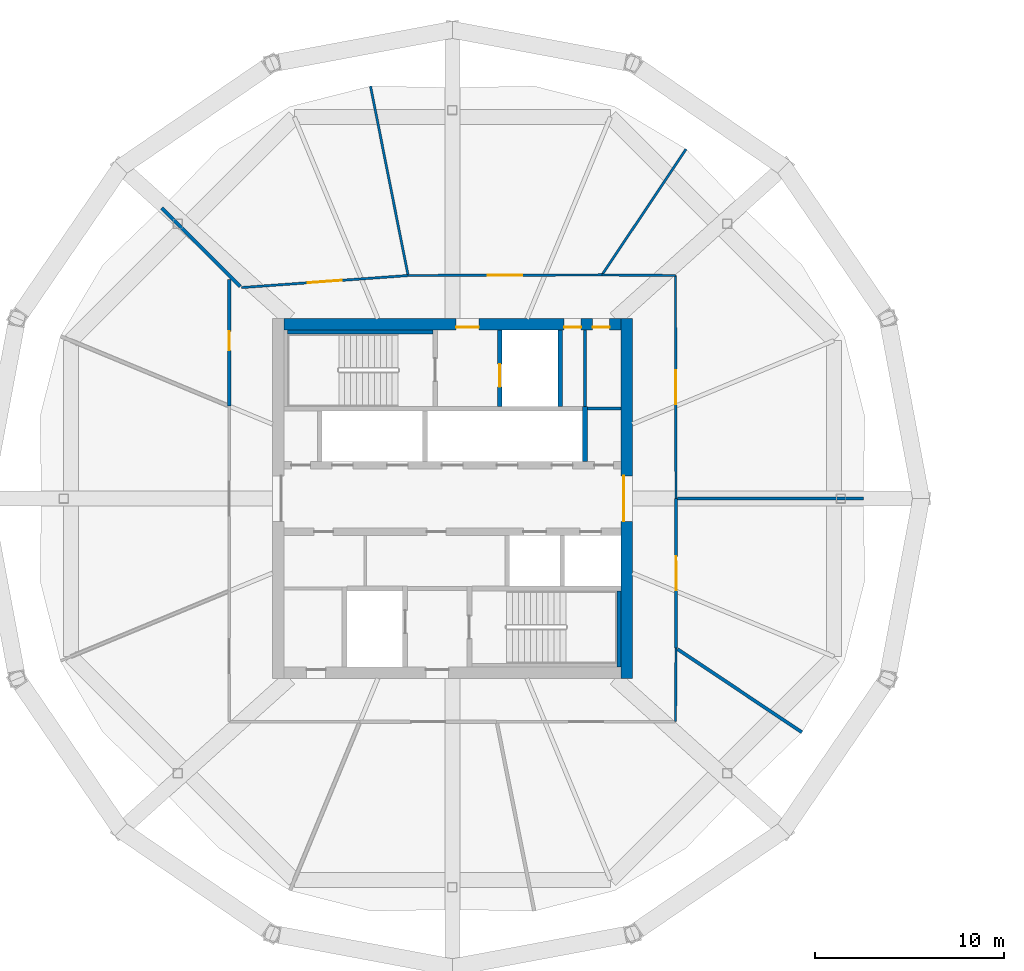
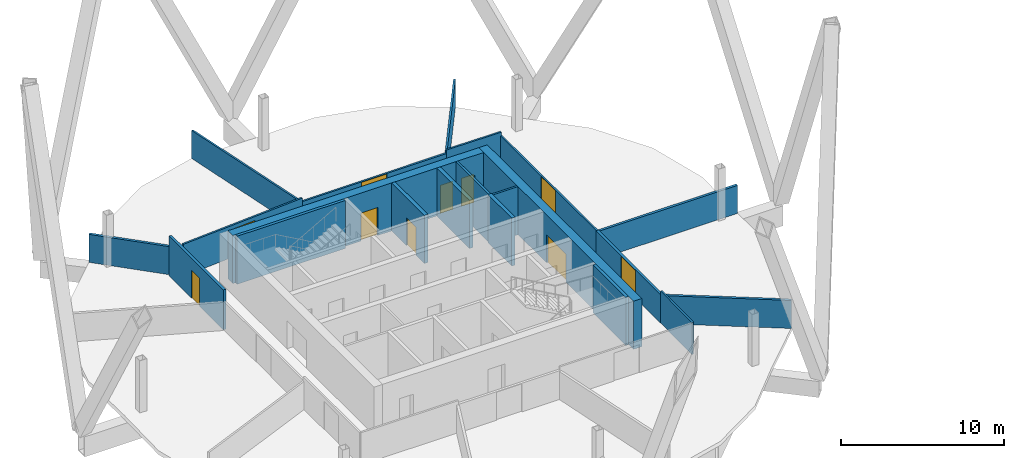
# One storey, part 6 of 10: 21 walls, 10 doors, 10 openings.
"""IFC4 building model written with IfcOpenShell, lengths in metres."""

import ifcopenshell
import ifcopenshell.guid

model = None  # the IFC model being written
_history = None  # IfcOwnerHistory: only IFC2X3 demands one
_inside = {}  # id of a spatial element -> (the spatial element, [elements in it])
_under = {}  # id of a project, library or spatial element -> (it, [spatial elements below it])
_declared = {}  # id of a project -> (the project, [libraries it declares])
_typed = {}  # id of a type object -> (the type object, [elements of that type])
_made_of = {}  # id of a material, layer set ... -> (it, [elements and type objects made of it])


def new_model(schema):
    """Start an empty IFC model of exactly this schema.

    Asked for "IFC4X3", IfcOpenShell would pick the latest addendum, in which some entities
    have other attributes; the version numbers below select the first issue.
    IFC2X3 requires an IfcOwnerHistory on every rooted entity: one is made here for all.
    """
    global model, _history
    if schema == "IFC4X3":
        model = ifcopenshell.file(schema_version=(4, 3, 0, 0))
    else:
        model = ifcopenshell.file(schema=schema)
    _inside.clear()
    _under.clear()
    _declared.clear()
    _typed.clear()
    _made_of.clear()
    _history = None
    if model.schema == "IFC2X3":
        org = make("IfcOrganization", Name="unknown")
        user = make(
            "IfcPersonAndOrganization",
            ThePerson=make("IfcPerson", FamilyName="unknown"),
            TheOrganization=org,
        )
        app = make(
            "IfcApplication",
            ApplicationDeveloper=org,
            Version="unknown",
            ApplicationFullName="unknown",
            ApplicationIdentifier="unknown",
        )
        _history = make(
            "IfcOwnerHistory",
            OwningUser=user,
            OwningApplication=app,
            ChangeAction="ADDED",
            CreationDate=0,
        )
    return model


def make(cls, **values):
    """One entity of the class cls with the attributes given. An attribute that is None is left unset."""
    return model.create_entity(
        cls, **{name: value for name, value in values.items() if value is not None}
    )


def rooted(cls, **values):
    """An entity with a GlobalId (a new one), such as an element, a storey or a relation."""
    return make(cls, GlobalId=ifcopenshell.guid.new(), OwnerHistory=_history, **values)


def si_unit(unit_type, name, prefix=None):
    """IfcSIUnit, for example si_unit("LENGTHUNIT", "METRE", prefix="MILLI")."""
    return make("IfcSIUnit", UnitType=unit_type, Prefix=prefix, Name=name)


def assignment(units):
    """IfcUnitAssignment: the units of a project."""
    return None if units is None else make("IfcUnitAssignment", Units=units)


def point(xyz):
    """IfcCartesianPoint."""
    return None if xyz is None else make("IfcCartesianPoint", Coordinates=xyz)


def direction(xyz):
    """IfcDirection."""
    return None if xyz is None else make("IfcDirection", DirectionRatios=xyz)


def frame(location, z_axis=None, x_axis=None):
    """IfcAxis2Placement3D, a coordinate frame: its origin and axes. An axis left out is left unset."""
    return make(
        "IfcAxis2Placement3D",
        Location=point(location),
        Axis=direction(z_axis),
        RefDirection=direction(x_axis),
    )


def frame_2d(location, x_axis=None):
    """IfcAxis2Placement2D, a coordinate frame in the plane: its origin and x axis."""
    return make(
        "IfcAxis2Placement2D", Location=point(location), RefDirection=direction(x_axis)
    )


def origin():
    """The frame at (0, 0, 0) with its axes left unset."""
    return frame((0.0, 0.0, 0.0))


def place(relative_to, where):
    """IfcLocalPlacement: puts the frame where relative to a parent placement (None: the world)."""
    return make(
        "IfcLocalPlacement", PlacementRelTo=relative_to, RelativePlacement=where
    )


def context(
    kind, dimensions, precision=None, world=None, true_north=None, identifier=None
):
    """IfcGeometricRepresentationContext, for example the 3D "Model" context."""
    return make(
        "IfcGeometricRepresentationContext",
        ContextIdentifier=identifier,
        ContextType=kind,
        CoordinateSpaceDimension=dimensions,
        Precision=precision,
        WorldCoordinateSystem=world,
        TrueNorth=true_north,
    )


def subcontext(parent, identifier, kind, view, scale=None):
    """IfcGeometricRepresentationSubContext, for example "Body" below "Model"."""
    return make(
        "IfcGeometricRepresentationSubContext",
        ContextIdentifier=identifier,
        ContextType=kind,
        ParentContext=parent,
        TargetScale=scale,
        TargetView=view,
    )


def project(units=None, contexts=None):
    """IfcProject with its units and contexts."""
    return rooted(
        "IfcProject",
        Name="project",
        RepresentationContexts=contexts,
        UnitsInContext=assignment(units),
    )


def spatial(cls, under=None, at=None, **own):
    """A site, building, storey or space (cls), placed at a placement, below another one or the project."""
    s = rooted(cls, ObjectPlacement=at, **own)
    if under is not None:
        _under.setdefault(under.id(), (under, []))[1].append(s)
    return s


def profile(cls, at=None, kind="AREA", **sizes):
    """A parametric profile (cls). Its sizes go by their IFC names, for example OverallWidth=200.0."""
    return make(cls, ProfileType=kind, Position=at, **sizes)


def rectangle(**sizes):
    """IfcRectangleProfileDef."""
    return profile("IfcRectangleProfileDef", **sizes)


def extrude(swept, where, along, depth):
    """IfcExtrudedAreaSolid: the profile swept, set in the frame where, extruded along a direction by depth."""
    return make(
        "IfcExtrudedAreaSolid",
        SweptArea=swept,
        Position=where,
        ExtrudedDirection=direction(along),
        Depth=depth,
    )


def shape(context_of_items, identifier, shape_type, items):
    """IfcShapeRepresentation: the items that make up one representation, for example the "Body"."""
    return make(
        "IfcShapeRepresentation",
        ContextOfItems=context_of_items,
        RepresentationIdentifier=identifier,
        RepresentationType=shape_type,
        Items=items,
    )


def material(Name=None, Category=None):
    """IfcMaterial."""
    return make("IfcMaterial", Name=Name, Category=Category)


def layer(
    of_material, thickness, ventilated=None, Name=None, Category=None, Priority=None
):
    """IfcMaterialLayer: one layer of a wall or slab, of a material (None: an air gap)."""
    return make(
        "IfcMaterialLayer",
        Material=of_material,
        LayerThickness=thickness,
        IsVentilated=ventilated,
        Name=Name,
        Category=Category,
        Priority=Priority,
    )


def layer_set(layers, Name=None):
    """IfcMaterialLayerSet."""
    return make("IfcMaterialLayerSet", MaterialLayers=layers, LayerSetName=Name)


def made_of(thing, what):
    """Note that an element or type object is made of a material, layer set ...; save() writes the relation."""
    if what is not None:
        _made_of.setdefault(what.id(), (what, []))[1].append(thing)
    return thing


def type_object(cls, material=None, **own):
    """A type object (cls), such as IfcWallType, which elements share."""
    return made_of(rooted(cls, **own), material)


def element(
    cls,
    number,
    at=None,
    inside=None,
    cuts=None,
    type_object=None,
    material=None,
    context=None,
    identifier="Body",
    shape_type=None,
    held_by="IfcProductDefinitionShape",
    body=None,
    shapes=None,
    **own,
):
    """One element of the class cls, such as IfcWall. Its Tag is "e" and its number.

    at: its placement. inside: the storey or other place that contains it. cuts: it is an
    opening in that element (IfcRelVoidsElement). A single representation is given by context,
    identifier, shape_type and body (its items); several are given by shapes. held_by: the class
    of the entity that holds the representations. save() writes the other relations.
    """
    e = rooted(cls, Tag="e%d" % number, ObjectPlacement=at, **own)
    if body is not None:
        shapes = [shape(context, identifier, shape_type, body)]
    if shapes is not None:
        e.Representation = make(held_by, Representations=shapes)
    if inside is not None:
        _inside.setdefault(inside.id(), (inside, []))[1].append(e)
    if cuts is not None:
        rooted(
            "IfcRelVoidsElement", RelatingBuildingElement=cuts, RelatedOpeningElement=e
        )
    if type_object is not None:
        _typed.setdefault(type_object.id(), (type_object, []))[1].append(e)
    return made_of(e, material)


def fill(opening, filler):
    """IfcRelFillsElement: the door or window that sits in an opening."""
    return rooted(
        "IfcRelFillsElement",
        RelatingOpeningElement=opening,
        RelatedBuildingElement=filler,
    )


def aggregate(whole, parts):
    """IfcRelAggregates: a whole, such as a stair, and the parts it consists of."""
    return rooted("IfcRelAggregates", RelatingObject=whole, RelatedObjects=parts)


def save(model, path):
    """Write the relations noted so far, then the file.

    IfcRelAggregates (storeys below a building ...), IfcRelContainedInSpatialStructure (elements
    in a storey), IfcRelDefinesByType, IfcRelAssociatesMaterial and IfcRelDeclares: one each for
    every whole, place, type object, material and project.
    """
    for whole, parts in _under.values():
        aggregate(whole, parts)
    for where, things in _inside.values():
        rooted(
            "IfcRelContainedInSpatialStructure",
            RelatedElements=things,
            RelatingStructure=where,
        )
    for kind, things in _typed.values():
        rooted("IfcRelDefinesByType", RelatedObjects=things, RelatingType=kind)
    for what, things in _made_of.values():
        rooted("IfcRelAssociatesMaterial", RelatedObjects=things, RelatingMaterial=what)
    for by, libraries in _declared.values():
        rooted("IfcRelDeclares", RelatingContext=by, RelatedDefinitions=libraries)
    model.write(path)


model = new_model("IFC4")

# Units and contexts
model_context = context("Model", 3, precision=1e-05, world=origin(), true_north=direction((0.0, 1.0)))
body_context = subcontext(model_context, "Body", "Model", "MODEL_VIEW")
ifc_project = project(units=[si_unit("LENGTHUNIT", "METRE"), si_unit("AREAUNIT", "SQUARE_METRE"), si_unit("VOLUMEUNIT", "CUBIC_METRE"), si_unit("PLANEANGLEUNIT", "RADIAN"), si_unit("MASSUNIT", "GRAM", prefix="KILO")], contexts=[model_context])

# Site, building, storey
site_placement = place(None, origin())
site = spatial("IfcSite", under=ifc_project, at=site_placement, CompositionType="ELEMENT")
building_placement = place(site_placement, origin())
building = spatial("IfcBuilding", under=site, at=building_placement, Name="Ogive Gate Towers", CompositionType="ELEMENT")
storey_placement = place(building_placement, frame((0.0, 0.0, 181.199951171875)))
storey = spatial("IfcBuildingStorey", under=building, at=storey_placement, Name="L43", CompositionType="ELEMENT", Elevation=181.199951171875)

# Walls
ifc_material_1 = material(Name="Gypsum board acoustic partition")
ifc_layer_1 = layer(ifc_material_1, 0.175048828125)
ifc_layer_set_1 = layer_set([ifc_layer_1], Name="Acoustic partition 175")
wall_type_1 = type_object("IfcWallType", Name="Acoustic partition 175", PredefinedType="PARTITIONING", material=ifc_layer_set_1)
wall_1_placement = place(storey_placement, frame((-14.291015625, 0.0, 0.0), z_axis=(0.0, 0.0, 1.0), x_axis=(-1.0, 0.0, 0.0)))
element("IfcWall", 1, at=wall_1_placement, inside=storey, type_object=wall_type_1, Name="Partition T1-L43-001", PredefinedType="PARTITIONING", context=body_context, shape_type="SweptSolid", body=[
    extrude(rectangle(XDim=9.8115234375, YDim=0.175048828125, at=frame_2d((4.90576171875, 0.0))), origin(), (0.0, 0.0, 1.0), 2.10009765625),
])
wall_2_placement = place(storey_placement, frame((-51.3505859375, 15.3505859375, 0.0), z_axis=(0.0, 0.0, 1.0), x_axis=(0.707106781187, -0.707106781187, 0.0)))
element("IfcWall", 2, at=wall_2_placement, inside=storey, type_object=wall_type_1, Name="Partition T1-L43-004", PredefinedType="PARTITIONING", context=body_context, shape_type="SweptSolid", body=[
    extrude(rectangle(XDim=5.861572265625, YDim=0.175048828125, at=frame_2d((2.9306640625, 0.0))), origin(), (0.0, 0.0, 1.0), 2.10009765625),
])
wall_3_placement = place(storey_placement, frame((-17.537841796875, -12.345703125, 0.0), z_axis=(0.0, 0.0, 1.0), x_axis=(-0.831275639712, 0.555860423867, 0.0)))
element("IfcWall", 3, at=wall_3_placement, inside=storey, type_object=wall_type_1, Name="Partition T1-L43-009", PredefinedType="PARTITIONING", context=body_context, shape_type="SweptSolid", body=[
    extrude(rectangle(XDim=7.91162109375, YDim=0.175048828125, at=frame_2d((3.955810546875, 0.0))), origin(), (0.0, 0.0, 1.0), 2.10009765625),
])

# Wall, opening, door
wall_4_placement = place(storey_placement, frame((-24.187255859375, -7.899169921875, 0.0), z_axis=(0.0, 0.0, 1.0), x_axis=(-0.000339978345, 0.999999942207, 0.0)))
wall_4 = element("IfcWall", 4, at=wall_4_placement, inside=storey, type_object=wall_type_1, Name="Partition T1-L43-010", PredefinedType="PARTITIONING", context=body_context, shape_type="SweptSolid", body=[
    extrude(rectangle(XDim=7.899169921875, YDim=0.175048828125, at=frame_2d((3.94970703125, 0.0))), origin(), (0.0, 0.0, 1.0), 2.14013671875),
])
opening_1_placement = place(wall_4_placement, frame((3.050048828125, 0.0, 0.0)))
opening_1 = element("IfcOpeningElement", 5, at=opening_1_placement, cuts=wall_4, Name="Opening T1-L43-D01", PredefinedType="OPENING", context=body_context, shape_type="SweptSolid", body=[
    extrude(rectangle(XDim=1.800048828125, YDim=2.10009765625, at=frame_2d((0.89990234375, 1.050048828125))), frame((0.0, 0.09765625, 0.0), z_axis=(0.0, -1.0, 0.0), x_axis=(1.0, 0.0, 0.0)), (0.0, 0.0, 1.0), 0.195068359375),
])
ifc_material_2 = material(Name="Timber door", Category="wood")
door_type_1 = type_object("IfcDoorType", Name="Door pair 1800", OperationType="NOTDEFINED", PredefinedType="DOOR", material=ifc_material_2)
door_1_placement = place(opening_1_placement, origin())
door_1 = element("IfcDoor", 6, at=door_1_placement, inside=storey, type_object=door_type_1, Name="Door T1-L43-D01", OperationType="DOUBLE_DOOR_DOUBLE_SWING", OverallHeight=2.10009765625, OverallWidth=1.800048828125, PredefinedType="DOOR", context=body_context, shape_type="SweptSolid", body=[
    extrude(rectangle(XDim=1.800048828125, YDim=2.10009765625, at=frame_2d((0.89990234375, 1.050048828125))), frame((0.0, 0.02490234375, 0.0), z_axis=(0.0, -1.0, 0.0), x_axis=(1.0, 0.0, 0.0)), (0.0, 0.0, 1.0), 0.050048828125),
])
fill(opening_1, door_1)

wall_5_placement = place(storey_placement, frame((-47.7802734375, 11.55908203125, 0.0), z_axis=(0.0, 0.0, 1.0), x_axis=(-0.001426271223, -0.999998982875, 0.0)))
wall_5 = element("IfcWall", 7, at=wall_5_placement, inside=storey, type_object=wall_type_1, Name="Partition T1-L43-015", PredefinedType="PARTITIONING", context=body_context, shape_type="SweptSolid", body=[
    extrude(rectangle(XDim=6.67578125, YDim=0.175048828125, at=frame_2d((3.337890625, 0.0))), origin(), (0.0, 0.0, 1.0), 3.0),
])
opening_2_placement = place(wall_5_placement, frame((2.72705078125, 0.0, 0.0)))
opening_2 = element("IfcOpeningElement", 8, at=opening_2_placement, cuts=wall_5, Name="Opening T1-L43-D05", PredefinedType="OPENING", context=body_context, shape_type="SweptSolid", body=[
    extrude(rectangle(XDim=1.0, YDim=2.10009765625, at=frame_2d((0.5, 1.050048828125))), frame((0.0, 0.09765625, 0.0), z_axis=(0.0, -1.0, 0.0), x_axis=(1.0, 0.0, 0.0)), (0.0, 0.0, 1.0), 0.195068359375),
])
door_type_2 = type_object("IfcDoorType", Name="Door 1000", OperationType="NOTDEFINED", PredefinedType="DOOR", material=ifc_material_2)
door_2_placement = place(opening_2_placement, origin())
door_2 = element("IfcDoor", 9, at=door_2_placement, inside=storey, type_object=door_type_2, Name="Door T1-L43-D05", OperationType="SINGLE_SWING_RIGHT", OverallHeight=2.10009765625, OverallWidth=1.0, PredefinedType="DOOR", context=body_context, shape_type="SweptSolid", body=[
    extrude(rectangle(XDim=1.0, YDim=2.10009765625, at=frame_2d((0.5, 1.050048828125))), frame((0.0, 0.02490234375, 0.0), z_axis=(0.0, -1.0, 0.0), x_axis=(1.0, 0.0, 0.0)), (0.0, 0.0, 1.0), 0.050048828125),
])
fill(opening_2, door_2)

# Wall, openings, doors
ifc_material_3 = material(Name="Concrete C60/75", Category="concrete")
ifc_layer_2 = layer(ifc_material_3, 0.60009765625)
ifc_layer_set_2 = layer_set([ifc_layer_2], Name="Core wall 600 mm")
wall_type_2 = type_object("IfcWallType", Name="Core wall 600 mm", PredefinedType="SHEAR", material=ifc_layer_set_2)
wall_6_placement = place(storey_placement, frame((-44.89990234375, 9.199951171875, 0.0), z_axis=(0.0, 0.0, 1.0), x_axis=(1.0, 0.0, 0.0)))
wall_6 = element("IfcWall", 10, at=wall_6_placement, inside=storey, type_object=wall_type_2, Name="T1 L43 Core wall 600 mm", PredefinedType="SHEAR", context=body_context, shape_type="SweptSolid", body=[
    extrude(rectangle(XDim=17.7998046875, YDim=0.60009765625, at=frame_2d((8.89990234375, 0.0))), origin(), (0.0, 0.0, 1.0), 3.60009765625),
])
opening_3_placement = place(wall_6_placement, frame((9.10009765625, 0.0, 0.0)))
opening_3 = element("IfcOpeningElement", 11, at=opening_3_placement, cuts=wall_6, Name="Opening KD-T1-L43-18", PredefinedType="OPENING", context=body_context, shape_type="SweptSolid", body=[
    extrude(rectangle(XDim=1.199951171875, YDim=2.10009765625, at=frame_2d((0.60009765625, 1.050048828125))), frame((0.0, 0.31005859375, 0.0), z_axis=(0.0, -1.0, 0.0), x_axis=(1.0, 0.0, 0.0)), (0.0, 0.0, 1.0), 0.6201171875),
])
opening_4_placement = place(wall_6_placement, frame((14.800048828125, 0.0, 0.0)))
opening_4 = element("IfcOpeningElement", 12, at=opening_4_placement, cuts=wall_6, Name="Opening KD-T1-L43-20", PredefinedType="OPENING", context=body_context, shape_type="SweptSolid", body=[
    extrude(rectangle(XDim=0.89990234375, YDim=2.10009765625, at=frame_2d((0.449951171875, 1.050048828125))), frame((0.0, 0.31005859375, 0.0), z_axis=(0.0, -1.0, 0.0), x_axis=(1.0, 0.0, 0.0)), (0.0, 0.0, 1.0), 0.6201171875),
])
opening_5_placement = place(wall_6_placement, frame((16.300048828125, 0.0, 0.0)))
opening_5 = element("IfcOpeningElement", 13, at=opening_5_placement, cuts=wall_6, Name="Opening KD-T1-L43-21", PredefinedType="OPENING", context=body_context, shape_type="SweptSolid", body=[
    extrude(rectangle(XDim=0.89990234375, YDim=2.10009765625, at=frame_2d((0.449951171875, 1.050048828125))), frame((0.0, 0.31005859375, 0.0), z_axis=(0.0, -1.0, 0.0), x_axis=(1.0, 0.0, 0.0)), (0.0, 0.0, 1.0), 0.6201171875),
])
door_type_3 = type_object("IfcDoorType", Name="Core WC door 900 x 2100", OperationType="NOTDEFINED", PredefinedType="DOOR", material=ifc_material_2)
door_3_placement = place(opening_4_placement, origin())
door_3 = element("IfcDoor", 14, at=door_3_placement, inside=storey, type_object=door_type_3, Name="T1 L43 Core door", OperationType="SINGLE_SWING_LEFT", OverallHeight=2.10009765625, OverallWidth=0.89990234375, PredefinedType="DOOR", context=body_context, shape_type="SweptSolid", body=[
    extrude(rectangle(XDim=0.89990234375, YDim=2.10009765625, at=frame_2d((0.449951171875, 1.050048828125))), frame((0.0, -0.125, 0.0), z_axis=(0.0, -1.0, 0.0), x_axis=(1.0, 0.0, 0.0)), (0.0, 0.0, 1.0), 0.050048828125),
])
fill(opening_4, door_3)
door_4_placement = place(opening_5_placement, origin())
door_4 = element("IfcDoor", 15, at=door_4_placement, inside=storey, type_object=door_type_3, Name="T1 L43 Core door", OperationType="SINGLE_SWING_RIGHT", OverallHeight=2.10009765625, OverallWidth=0.89990234375, PredefinedType="DOOR", context=body_context, shape_type="SweptSolid", body=[
    extrude(rectangle(XDim=0.89990234375, YDim=2.10009765625, at=frame_2d((0.449951171875, 1.050048828125))), frame((0.0, -0.125, 0.0), z_axis=(0.0, -1.0, 0.0), x_axis=(1.0, 0.0, 0.0)), (0.0, 0.0, 1.0), 0.050048828125),
])
fill(opening_5, door_4)
ifc_material_4 = material(Name="Steel fire door", Category="steel")
door_type_4 = type_object("IfcDoorType", Name="Core door FD60S 1200 x 2100", OperationType="NOTDEFINED", PredefinedType="DOOR", material=ifc_material_4)
door_5_placement = place(opening_3_placement, origin())
door_5 = element("IfcDoor", 16, at=door_5_placement, inside=storey, type_object=door_type_4, Name="T1 L43 Fire-fighting lobby door", OperationType="SINGLE_SWING_LEFT", OverallHeight=2.10009765625, OverallWidth=1.199951171875, PredefinedType="DOOR", context=body_context, shape_type="SweptSolid", body=[
    extrude(rectangle(XDim=1.199951171875, YDim=2.10009765625, at=frame_2d((0.60009765625, 1.050048828125))), frame((0.0, -0.125, 0.0), z_axis=(0.0, -1.0, 0.0), x_axis=(1.0, 0.0, 0.0)), (0.0, 0.0, 1.0), 0.050048828125),
])
fill(opening_3, door_5)

# Wall, opening, door
wall_7_placement = place(storey_placement, frame((-26.800048828125, -9.5, 0.0), z_axis=(0.0, 0.0, 1.0), x_axis=(0.0, 1.0, 0.0)))
wall_7 = element("IfcWall", 17, at=wall_7_placement, inside=storey, type_object=wall_type_2, Name="T1 L43 Core wall 600 mm", PredefinedType="SHEAR", context=body_context, shape_type="SweptSolid", body=[
    extrude(rectangle(XDim=19.0, YDim=0.60009765625, at=frame_2d((9.5, 0.0))), origin(), (0.0, 0.0, 1.0), 3.60009765625),
])
opening_6_placement = place(wall_7_placement, frame((8.300048828125, 0.0, 0.0)))
opening_6 = element("IfcOpeningElement", 18, at=opening_6_placement, cuts=wall_7, Name="Opening KD-T1-L43-02", PredefinedType="OPENING", context=body_context, shape_type="SweptSolid", body=[
    extrude(rectangle(XDim=2.39990234375, YDim=2.10009765625, at=frame_2d((1.199951171875, 1.050048828125))), frame((0.0, 0.31005859375, 0.0), z_axis=(0.0, -1.0, 0.0), x_axis=(1.0, 0.0, 0.0)), (0.0, 0.0, 1.0), 0.6201171875),
])
door_type_5 = type_object("IfcDoorType", Name="Core double door FD60S 2400 x 2100", OperationType="DOUBLE_DOOR_SINGLE_SWING", PredefinedType="DOOR", material=ifc_material_4)
door_6_placement = place(opening_6_placement, origin())
door_6 = element("IfcDoor", 19, at=door_6_placement, inside=storey, type_object=door_type_5, Name="T1 L43 Core door double", OperationType="DOUBLE_DOOR_SINGLE_SWING", OverallHeight=2.10009765625, OverallWidth=2.39990234375, PredefinedType="DOOR", context=body_context, shape_type="SweptSolid", body=[
    extrude(rectangle(XDim=2.39990234375, YDim=2.10009765625, at=frame_2d((1.199951171875, 1.050048828125))), frame((0.0, 0.1748046875, 0.0), z_axis=(0.0, -1.0, 0.0), x_axis=(1.0, 0.0, 0.0)), (0.0, 0.0, 1.0), 0.050048828125),
])
fill(opening_6, door_6)

# Walls
ifc_material_5 = material(Name="Gypsum board partition")
ifc_layer_3 = layer(ifc_material_5, 0.125)
ifc_layer_set_3 = layer_set([ifc_layer_3], Name="Partition 125")
wall_type_3 = type_object("IfcWallType", Name="Partition 125", PredefinedType="PARTITIONING", material=ifc_layer_set_3)
wall_8_placement = place(storey_placement, frame((-23.654296875, 18.462158203125, 0.0), z_axis=(0.0, 0.0, 1.0), x_axis=(-0.555863865151, -0.831273338571, 0.0)))
element("IfcWall", 20, at=wall_8_placement, inside=storey, type_object=wall_type_3, Name="Partition T1-L43-002", PredefinedType="PARTITIONING", context=body_context, shape_type="SweptSolid", body=[
    extrude(rectangle(XDim=7.9365234375, YDim=0.125, at=frame_2d((3.96826171875, 0.0))), origin(), (0.0, 0.0, 1.0), 2.10009765625),
])
wall_9_placement = place(storey_placement, frame((-40.324951171875, 21.784423828125, 0.0), z_axis=(0.0, 0.0, 1.0), x_axis=(0.194731025015, -0.98085668061, 0.0)))
element("IfcWall", 21, at=wall_9_placement, inside=storey, type_object=wall_type_3, Name="Partition T1-L43-003", PredefinedType="PARTITIONING", context=body_context, shape_type="SweptSolid", body=[
    extrude(rectangle(XDim=10.136474609375, YDim=0.125, at=frame_2d((5.068359375, 0.0))), origin(), (0.0, 0.0, 1.0), 2.10009765625),
])

# Wall, opening, door
wall_10_placement = place(storey_placement, frame((-24.18994140625, 0.0, 0.0), z_axis=(0.0, 0.0, 1.0), x_axis=(-0.002549161683, 0.999996750882, 0.0)))
wall_10 = element("IfcWall", 22, at=wall_10_placement, inside=storey, type_object=wall_type_3, Name="Partition T1-L43-011", PredefinedType="PARTITIONING", context=body_context, shape_type="SweptSolid", body=[
    extrude(rectangle(XDim=11.780029296875, YDim=0.125, at=frame_2d((5.89013671875, 0.0))), origin(), (0.0, 0.0, 1.0), 2.14013671875),
])
opening_7_placement = place(wall_10_placement, frame((4.989990234375, 0.0, 0.0)))
opening_7 = element("IfcOpeningElement", 23, at=opening_7_placement, cuts=wall_10, Name="Opening T1-L43-D02", PredefinedType="OPENING", context=body_context, shape_type="SweptSolid", body=[
    extrude(rectangle(XDim=1.800048828125, YDim=2.10009765625, at=frame_2d((0.89990234375, 1.050048828125))), frame((0.0, 0.072509765625, 0.0), z_axis=(0.0, -1.0, 0.0), x_axis=(1.0, 0.0, 0.0)), (0.0, 0.0, 1.0), 0.14501953125),
])
door_7_placement = place(opening_7_placement, origin())
door_7 = element("IfcDoor", 24, at=door_7_placement, inside=storey, type_object=door_type_1, Name="Door T1-L43-D02", OperationType="DOUBLE_DOOR_DOUBLE_SWING", OverallHeight=2.10009765625, OverallWidth=1.800048828125, PredefinedType="DOOR", context=body_context, shape_type="SweptSolid", body=[
    extrude(rectangle(XDim=1.800048828125, YDim=2.10009765625, at=frame_2d((0.89990234375, 1.050048828125))), frame((0.0, 0.02490234375, 0.0), z_axis=(0.0, -1.0, 0.0), x_axis=(1.0, 0.0, 0.0)), (0.0, 0.0, 1.0), 0.050048828125),
])
fill(opening_7, door_7)

# Wall
wall_11_placement = place(storey_placement, frame((-24.219970703125, 11.780029296875, 0.0), z_axis=(0.0, 0.0, 1.0), x_axis=(-0.999964471183, 0.008429494158, 0.0)))
element("IfcWall", 25, at=wall_11_placement, inside=storey, type_object=wall_type_3, Name="Partition T1-L43-012", PredefinedType="PARTITIONING", context=body_context, shape_type="SweptSolid", body=[
    extrude(rectangle(XDim=3.881103515625, YDim=0.125, at=frame_2d((1.9404296875, 0.0))), origin(), (0.0, 0.0, 1.0), 2.400146484375),
])

# Wall, opening, door
wall_12_placement = place(storey_placement, frame((-28.100830078125, 11.812744140625, 0.0), z_axis=(0.0, 0.0, 1.0), x_axis=(-0.999995120716, -0.003123866956, 0.0)))
wall_12 = element("IfcWall", 26, at=wall_12_placement, inside=storey, type_object=wall_type_3, Name="Partition T1-L43-013", PredefinedType="PARTITIONING", context=body_context, shape_type="SweptSolid", body=[
    extrude(rectangle(XDim=10.238037109375, YDim=0.125, at=frame_2d((5.119140625, 0.0))), origin(), (0.0, 0.0, 1.0), 2.14013671875),
])
opening_8_placement = place(wall_12_placement, frame((4.218994140625, 0.0, 0.0)))
opening_8 = element("IfcOpeningElement", 27, at=opening_8_placement, cuts=wall_12, Name="Opening T1-L43-D03", PredefinedType="OPENING", context=body_context, shape_type="SweptSolid", body=[
    extrude(rectangle(XDim=1.800048828125, YDim=2.10009765625, at=frame_2d((0.89990234375, 1.050048828125))), frame((0.0, 0.072509765625, 0.0), z_axis=(0.0, -1.0, 0.0), x_axis=(1.0, 0.0, 0.0)), (0.0, 0.0, 1.0), 0.14501953125),
])
door_8_placement = place(opening_8_placement, origin())
door_8 = element("IfcDoor", 28, at=door_8_placement, inside=storey, type_object=door_type_1, Name="Door T1-L43-D03", OperationType="DOUBLE_DOOR_DOUBLE_SWING", OverallHeight=2.10009765625, OverallWidth=1.800048828125, PredefinedType="DOOR", context=body_context, shape_type="SweptSolid", body=[
    extrude(rectangle(XDim=1.800048828125, YDim=2.10009765625, at=frame_2d((0.89990234375, 1.050048828125))), frame((0.0, 0.02490234375, 0.0), z_axis=(0.0, -1.0, 0.0), x_axis=(1.0, 0.0, 0.0)), (0.0, 0.0, 1.0), 0.050048828125),
])
fill(opening_8, door_8)

wall_13_placement = place(storey_placement, frame((-38.3388671875, 11.78076171875, 0.0), z_axis=(0.0, 0.0, 1.0), x_axis=(-0.997395705501, -0.072123551266, 0.0)))
wall_13 = element("IfcWall", 29, at=wall_13_placement, inside=storey, type_object=wall_type_3, Name="Partition T1-L43-014", PredefinedType="PARTITIONING", context=body_context, shape_type="SweptSolid", body=[
    extrude(rectangle(XDim=8.828125, YDim=0.125, at=frame_2d((4.4140625, 0.0))), origin(), (0.0, 0.0, 1.0), 2.400146484375),
])
opening_9_placement = place(wall_13_placement, frame((3.513916015625, 0.0, 0.0)))
opening_9 = element("IfcOpeningElement", 30, at=opening_9_placement, cuts=wall_13, Name="Opening T1-L43-D04", PredefinedType="OPENING", context=body_context, shape_type="SweptSolid", body=[
    extrude(rectangle(XDim=1.800048828125, YDim=2.10009765625, at=frame_2d((0.89990234375, 1.050048828125))), frame((0.0, 0.072509765625, 0.0), z_axis=(0.0, -1.0, 0.0), x_axis=(1.0, 0.0, 0.0)), (0.0, 0.0, 1.0), 0.14501953125),
])
door_9_placement = place(opening_9_placement, origin())
door_9 = element("IfcDoor", 31, at=door_9_placement, inside=storey, type_object=door_type_1, Name="Door T1-L43-D04", OperationType="DOUBLE_DOOR_DOUBLE_SWING", OverallHeight=2.10009765625, OverallWidth=1.800048828125, PredefinedType="DOOR", context=body_context, shape_type="SweptSolid", body=[
    extrude(rectangle(XDim=1.800048828125, YDim=2.10009765625, at=frame_2d((0.89990234375, 1.050048828125))), frame((0.0, 0.02490234375, 0.0), z_axis=(0.0, -1.0, 0.0), x_axis=(1.0, 0.0, 0.0)), (0.0, 0.0, 1.0), 0.050048828125),
])
fill(opening_9, door_9)

# Walls
wall_14_placement = place(storey_placement, frame((-24.219970703125, -11.780029296875, 0.0), z_axis=(0.0, 0.0, 1.0), x_axis=(0.008429494158, 0.999964471183, 0.0)))
element("IfcWall", 32, at=wall_14_placement, inside=storey, type_object=wall_type_3, Name="Partition T1-L43-021", PredefinedType="PARTITIONING", context=body_context, shape_type="SweptSolid", body=[
    extrude(rectangle(XDim=3.881103515625, YDim=0.125, at=frame_2d((1.9404296875, 0.0))), origin(), (0.0, 0.0, 1.0), 2.400146484375),
])
ifc_layer_4 = layer(ifc_material_5, 0.14990234375)
ifc_layer_set_4 = layer_set([ifc_layer_4], Name="Room partition 150 mm")
wall_type_4 = type_object("IfcWallType", Name="Room partition 150 mm", PredefinedType="PARTITIONING", material=ifc_layer_set_4)
wall_15_placement = place(storey_placement, frame((-28.875, 4.75, 0.0), z_axis=(0.0, 0.0, 1.0), x_axis=(1.0, 0.0, 0.0)))
element("IfcWall", 33, at=wall_15_placement, inside=storey, type_object=wall_type_4, Name="T1 L43 Room partition 150 mm", PredefinedType="PARTITIONING", context=body_context, shape_type="SweptSolid", body=[
    extrude(rectangle(XDim=1.77490234375, YDim=0.14990234375, at=frame_2d((0.887451171875, 0.0))), origin(), (0.0, 0.0, 1.0), 3.60009765625),
])
wall_16_placement = place(storey_placement, frame((-29.0, 4.875, 0.0), z_axis=(0.0, 0.0, 1.0), x_axis=(0.0, 1.0, 0.0)))
element("IfcWall", 34, at=wall_16_placement, inside=storey, type_object=wall_type_4, Name="T1 L43 Room partition 150 mm", PredefinedType="PARTITIONING", context=body_context, shape_type="SweptSolid", body=[
    extrude(rectangle(XDim=4.02490234375, YDim=0.14990234375, at=frame_2d((2.012451171875, 0.0))), origin(), (0.0, 0.0, 1.0), 3.60009765625),
])

# Wall, opening, door
ifc_layer_5 = layer(ifc_material_3, 0.25)
ifc_layer_set_5 = layer_set([ifc_layer_5], Name="Shaft wall 250 mm")
wall_type_5 = type_object("IfcWallType", Name="Shaft wall 250 mm", PredefinedType="SHEAR", material=ifc_layer_set_5)
wall_17_placement = place(storey_placement, frame((-33.5, 4.875, 0.0), z_axis=(0.0, 0.0, 1.0), x_axis=(0.0, 1.0, 0.0)))
wall_17 = element("IfcWall", 35, at=wall_17_placement, inside=storey, type_object=wall_type_5, Name="T1 L43 Shaft wall 250 mm", PredefinedType="SHEAR", context=body_context, shape_type="SweptSolid", body=[
    extrude(rectangle(XDim=4.02490234375, YDim=0.25, at=frame_2d((2.012451171875, 0.0))), origin(), (0.0, 0.0, 1.0), 3.60009765625),
])
opening_10_placement = place(wall_17_placement, frame((1.02490234375, 0.0, 0.0)))
opening_10 = element("IfcOpeningElement", 36, at=opening_10_placement, cuts=wall_17, Name="Opening LD-T1-L43-12", PredefinedType="OPENING", context=body_context, shape_type="SweptSolid", body=[
    extrude(rectangle(XDim=1.199951171875, YDim=2.10009765625, at=frame_2d((0.60009765625, 1.050048828125))), frame((0.0, 0.135009765625, 0.0), z_axis=(0.0, -1.0, 0.0), x_axis=(1.0, 0.0, 0.0)), (0.0, 0.0, 1.0), 0.27001953125),
])
ifc_material_6 = material(Name="Stainless steel landing door", Category="steel")
door_type_6 = type_object("IfcDoorType", Name="Landing door 1200 x 2100", OperationType="SLIDING_TO_LEFT", PredefinedType="DOOR", material=ifc_material_6)
door_10_placement = place(opening_10_placement, origin())
door_10 = element("IfcDoor", 37, at=door_10_placement, inside=storey, type_object=door_type_6, Name="T1 L43 Lift landing door FF1", OperationType="SLIDING_TO_LEFT", OverallHeight=2.10009765625, OverallWidth=1.199951171875, PredefinedType="DOOR", context=body_context, shape_type="SweptSolid", body=[
    extrude(rectangle(XDim=1.199951171875, YDim=2.10009765625, at=frame_2d((0.60009765625, 1.050048828125))), frame((0.0, 0.02490234375, 0.0), z_axis=(0.0, -1.0, 0.0), x_axis=(1.0, 0.0, 0.0)), (0.0, 0.0, 1.0), 0.050048828125),
])
fill(opening_10, door_10)

# Walls
wall_18_placement = place(storey_placement, frame((-30.300048828125, 4.875, 0.0), z_axis=(0.0, 0.0, 1.0), x_axis=(0.0, 1.0, 0.0)))
element("IfcWall", 38, at=wall_18_placement, inside=storey, type_object=wall_type_5, Name="T1 L43 Shaft wall 250 mm", PredefinedType="SHEAR", context=body_context, shape_type="SweptSolid", body=[
    extrude(rectangle(XDim=4.02490234375, YDim=0.25, at=frame_2d((2.012451171875, 0.0))), origin(), (0.0, 0.0, 1.0), 3.60009765625),
])
wall_19_placement = place(storey_placement, frame((-29.0, 1.949951171875, 0.0), z_axis=(0.0, 0.0, 1.0), x_axis=(0.0, 1.0, 0.0)))
element("IfcWall", 39, at=wall_19_placement, inside=storey, type_object=wall_type_5, Name="T1 L43 Shaft wall 250 mm", PredefinedType="SHEAR", context=body_context, shape_type="SweptSolid", body=[
    extrude(rectangle(XDim=2.925048828125, YDim=0.25, at=frame_2d((1.46240234375, 0.0))), origin(), (0.0, 0.0, 1.0), 3.60009765625),
])
ifc_layer_6 = layer(ifc_material_3, 0.199951171875)
ifc_layer_set_6 = layer_set([ifc_layer_6], Name="Stair wall 200 mm")
wall_type_6 = type_object("IfcWallType", Name="Stair wall 200 mm", PredefinedType="SHEAR", material=ifc_layer_set_6)
wall_20_placement = place(storey_placement, frame((-44.699951171875, 8.800048828125, 0.0), z_axis=(0.0, 0.0, 1.0), x_axis=(1.0, 0.0, 0.0)))
element("IfcWall", 40, at=wall_20_placement, inside=storey, type_object=wall_type_6, Name="T1 L43 Stair wall 200 mm", PredefinedType="SHEAR", context=body_context, shape_type="SweptSolid", body=[
    extrude(rectangle(XDim=7.675048828125, YDim=0.199951171875, at=frame_2d((3.83740234375, 0.0))), origin(), (0.0, 0.0, 1.0), 3.60009765625),
])
wall_21_placement = place(storey_placement, frame((-27.199951171875, -8.89990234375, 0.0), z_axis=(0.0, 0.0, 1.0), x_axis=(0.0, 1.0, 0.0)))
element("IfcWall", 41, at=wall_21_placement, inside=storey, type_object=wall_type_6, Name="T1 L43 Stair wall 200 mm", PredefinedType="SHEAR", context=body_context, shape_type="SweptSolid", body=[
    extrude(rectangle(XDim=4.02490234375, YDim=0.199951171875, at=frame_2d((2.012451171875, 0.0))), origin(), (0.0, 0.0, 1.0), 3.60009765625),
])

save(model, "model.ifc")
